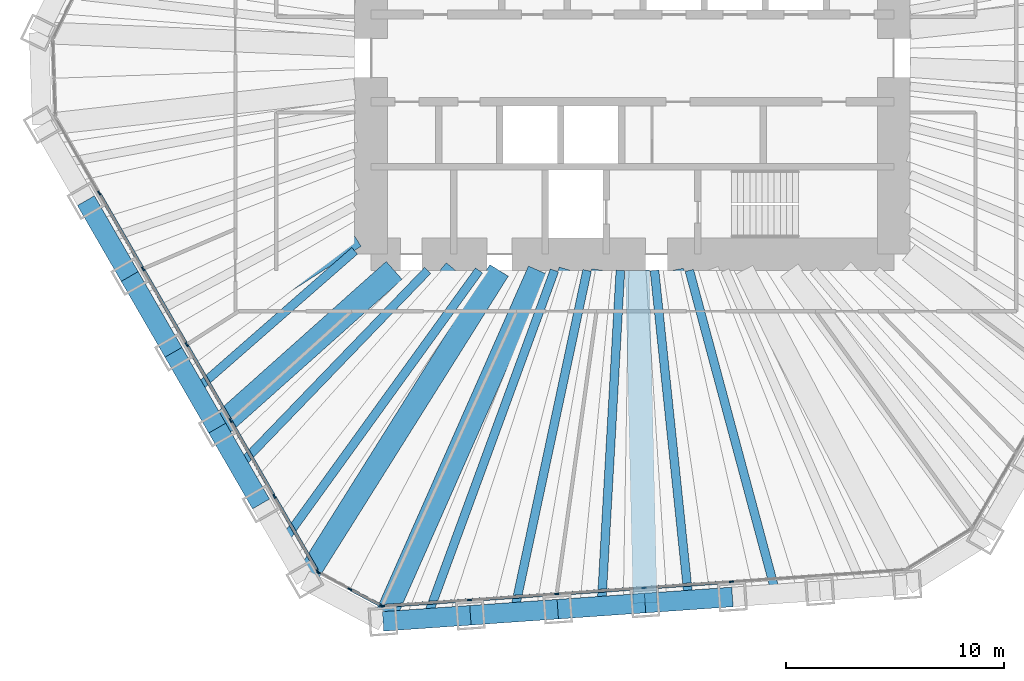
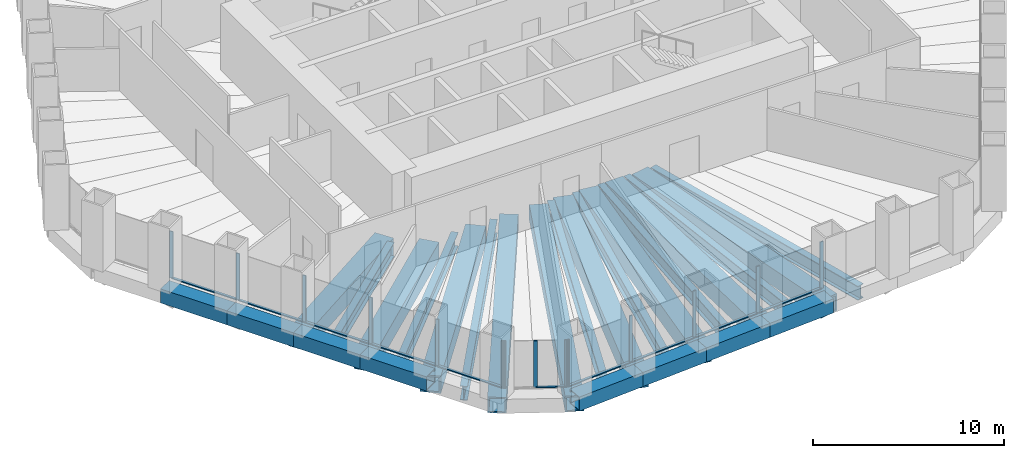
# One storey, part 2 of 12: 25 beams, 24 members, 3 elements without a shape of their own.
"""IFC4 building model written with IfcOpenShell, lengths in metres."""

import ifcopenshell
import ifcopenshell.guid

model = None  # the IFC model being written
_history = None  # IfcOwnerHistory: only IFC2X3 demands one
_inside = {}  # id of a spatial element -> (the spatial element, [elements in it])
_under = {}  # id of a project, library or spatial element -> (it, [spatial elements below it])
_declared = {}  # id of a project -> (the project, [libraries it declares])
_typed = {}  # id of a type object -> (the type object, [elements of that type])
_made_of = {}  # id of a material, layer set ... -> (it, [elements and type objects made of it])


def new_model(schema):
    """Start an empty IFC model of exactly this schema.

    Asked for "IFC4X3", IfcOpenShell would pick the latest addendum, in which some entities
    have other attributes; the version numbers below select the first issue.
    IFC2X3 requires an IfcOwnerHistory on every rooted entity: one is made here for all.
    """
    global model, _history
    if schema == "IFC4X3":
        model = ifcopenshell.file(schema_version=(4, 3, 0, 0))
    else:
        model = ifcopenshell.file(schema=schema)
    _inside.clear()
    _under.clear()
    _declared.clear()
    _typed.clear()
    _made_of.clear()
    _history = None
    if model.schema == "IFC2X3":
        org = make("IfcOrganization", Name="unknown")
        user = make(
            "IfcPersonAndOrganization",
            ThePerson=make("IfcPerson", FamilyName="unknown"),
            TheOrganization=org,
        )
        app = make(
            "IfcApplication",
            ApplicationDeveloper=org,
            Version="unknown",
            ApplicationFullName="unknown",
            ApplicationIdentifier="unknown",
        )
        _history = make(
            "IfcOwnerHistory",
            OwningUser=user,
            OwningApplication=app,
            ChangeAction="ADDED",
            CreationDate=0,
        )
    return model


def make(cls, **values):
    """One entity of the class cls with the attributes given. An attribute that is None is left unset."""
    return model.create_entity(
        cls, **{name: value for name, value in values.items() if value is not None}
    )


def rooted(cls, **values):
    """An entity with a GlobalId (a new one), such as an element, a storey or a relation."""
    return make(cls, GlobalId=ifcopenshell.guid.new(), OwnerHistory=_history, **values)


def si_unit(unit_type, name, prefix=None):
    """IfcSIUnit, for example si_unit("LENGTHUNIT", "METRE", prefix="MILLI")."""
    return make("IfcSIUnit", UnitType=unit_type, Prefix=prefix, Name=name)


def assignment(units):
    """IfcUnitAssignment: the units of a project."""
    return None if units is None else make("IfcUnitAssignment", Units=units)


def point(xyz):
    """IfcCartesianPoint."""
    return None if xyz is None else make("IfcCartesianPoint", Coordinates=xyz)


def direction(xyz):
    """IfcDirection."""
    return None if xyz is None else make("IfcDirection", DirectionRatios=xyz)


def frame(location, z_axis=None, x_axis=None):
    """IfcAxis2Placement3D, a coordinate frame: its origin and axes. An axis left out is left unset."""
    return make(
        "IfcAxis2Placement3D",
        Location=point(location),
        Axis=direction(z_axis),
        RefDirection=direction(x_axis),
    )


def frame_2d(location, x_axis=None):
    """IfcAxis2Placement2D, a coordinate frame in the plane: its origin and x axis."""
    return make(
        "IfcAxis2Placement2D", Location=point(location), RefDirection=direction(x_axis)
    )


def origin():
    """The frame at (0, 0, 0) with its axes left unset."""
    return frame((0.0, 0.0, 0.0))


def origin_2d():
    """The frame at (0, 0) in the plane with its x axis left unset."""
    return frame_2d((0.0, 0.0))


def place(relative_to, where):
    """IfcLocalPlacement: puts the frame where relative to a parent placement (None: the world)."""
    return make(
        "IfcLocalPlacement", PlacementRelTo=relative_to, RelativePlacement=where
    )


def context(
    kind, dimensions, precision=None, world=None, true_north=None, identifier=None
):
    """IfcGeometricRepresentationContext, for example the 3D "Model" context."""
    return make(
        "IfcGeometricRepresentationContext",
        ContextIdentifier=identifier,
        ContextType=kind,
        CoordinateSpaceDimension=dimensions,
        Precision=precision,
        WorldCoordinateSystem=world,
        TrueNorth=true_north,
    )


def subcontext(parent, identifier, kind, view, scale=None):
    """IfcGeometricRepresentationSubContext, for example "Body" below "Model"."""
    return make(
        "IfcGeometricRepresentationSubContext",
        ContextIdentifier=identifier,
        ContextType=kind,
        ParentContext=parent,
        TargetScale=scale,
        TargetView=view,
    )


def project(units=None, contexts=None):
    """IfcProject with its units and contexts."""
    return rooted(
        "IfcProject",
        Name="project",
        RepresentationContexts=contexts,
        UnitsInContext=assignment(units),
    )


def spatial(cls, under=None, at=None, **own):
    """A site, building, storey or space (cls), placed at a placement, below another one or the project."""
    s = rooted(cls, ObjectPlacement=at, **own)
    if under is not None:
        _under.setdefault(under.id(), (under, []))[1].append(s)
    return s


def profile(cls, at=None, kind="AREA", **sizes):
    """A parametric profile (cls). Its sizes go by their IFC names, for example OverallWidth=200.0."""
    return make(cls, ProfileType=kind, Position=at, **sizes)


def rectangle(**sizes):
    """IfcRectangleProfileDef."""
    return profile("IfcRectangleProfileDef", **sizes)


def hollow_rectangle(**sizes):
    """IfcRectangleHollowProfileDef."""
    return profile("IfcRectangleHollowProfileDef", **sizes)


def i_section(**sizes):
    """IfcIShapeProfileDef."""
    return profile("IfcIShapeProfileDef", **sizes)


def extrude(swept, where, along, depth):
    """IfcExtrudedAreaSolid: the profile swept, set in the frame where, extruded along a direction by depth."""
    return make(
        "IfcExtrudedAreaSolid",
        SweptArea=swept,
        Position=where,
        ExtrudedDirection=direction(along),
        Depth=depth,
    )


def shape(context_of_items, identifier, shape_type, items):
    """IfcShapeRepresentation: the items that make up one representation, for example the "Body"."""
    return make(
        "IfcShapeRepresentation",
        ContextOfItems=context_of_items,
        RepresentationIdentifier=identifier,
        RepresentationType=shape_type,
        Items=items,
    )


def material(Name=None, Category=None):
    """IfcMaterial."""
    return make("IfcMaterial", Name=Name, Category=Category)


def material_profile(
    of_material, cross_section, Name=None, Category=None, Priority=None
):
    """IfcMaterialProfile: a cross section and its material."""
    return make(
        "IfcMaterialProfile",
        Name=Name,
        Material=of_material,
        Profile=cross_section,
        Priority=Priority,
        Category=Category,
    )


def profile_set(profiles, Name=None, composite=None):
    """IfcMaterialProfileSet."""
    return make(
        "IfcMaterialProfileSet",
        Name=Name,
        MaterialProfiles=profiles,
        CompositeProfile=composite,
    )


def made_of(thing, what):
    """Note that an element or type object is made of a material, layer set ...; save() writes the relation."""
    if what is not None:
        _made_of.setdefault(what.id(), (what, []))[1].append(thing)
    return thing


def type_object(cls, material=None, **own):
    """A type object (cls), such as IfcWallType, which elements share."""
    return made_of(rooted(cls, **own), material)


def element(
    cls,
    number,
    at=None,
    inside=None,
    cuts=None,
    type_object=None,
    material=None,
    context=None,
    identifier="Body",
    shape_type=None,
    held_by="IfcProductDefinitionShape",
    body=None,
    shapes=None,
    **own,
):
    """One element of the class cls, such as IfcWall. Its Tag is "e" and its number.

    at: its placement. inside: the storey or other place that contains it. cuts: it is an
    opening in that element (IfcRelVoidsElement). A single representation is given by context,
    identifier, shape_type and body (its items); several are given by shapes. held_by: the class
    of the entity that holds the representations. save() writes the other relations.
    """
    e = rooted(cls, Tag="e%d" % number, ObjectPlacement=at, **own)
    if body is not None:
        shapes = [shape(context, identifier, shape_type, body)]
    if shapes is not None:
        e.Representation = make(held_by, Representations=shapes)
    if inside is not None:
        _inside.setdefault(inside.id(), (inside, []))[1].append(e)
    if cuts is not None:
        rooted(
            "IfcRelVoidsElement", RelatingBuildingElement=cuts, RelatedOpeningElement=e
        )
    if type_object is not None:
        _typed.setdefault(type_object.id(), (type_object, []))[1].append(e)
    return made_of(e, material)


def aggregate(whole, parts):
    """IfcRelAggregates: a whole, such as a stair, and the parts it consists of."""
    return rooted("IfcRelAggregates", RelatingObject=whole, RelatedObjects=parts)


def save(model, path):
    """Write the relations noted so far, then the file.

    IfcRelAggregates (storeys below a building ...), IfcRelContainedInSpatialStructure (elements
    in a storey), IfcRelDefinesByType, IfcRelAssociatesMaterial and IfcRelDeclares: one each for
    every whole, place, type object, material and project.
    """
    for whole, parts in _under.values():
        aggregate(whole, parts)
    for where, things in _inside.values():
        rooted(
            "IfcRelContainedInSpatialStructure",
            RelatedElements=things,
            RelatingStructure=where,
        )
    for kind, things in _typed.values():
        rooted("IfcRelDefinesByType", RelatedObjects=things, RelatingType=kind)
    for what, things in _made_of.values():
        rooted("IfcRelAssociatesMaterial", RelatedObjects=things, RelatingMaterial=what)
    for by, libraries in _declared.values():
        rooted("IfcRelDeclares", RelatingContext=by, RelatedDefinitions=libraries)
    model.write(path)


model = new_model("IFC4")

# Units and contexts
model_context = context("Model", 3, precision=1e-05, world=origin(), true_north=direction((0.0, 1.0)))
body_context = subcontext(model_context, "Body", "Model", "MODEL_VIEW")
ifc_project = project(units=[si_unit("LENGTHUNIT", "METRE"), si_unit("AREAUNIT", "SQUARE_METRE"), si_unit("VOLUMEUNIT", "CUBIC_METRE"), si_unit("PLANEANGLEUNIT", "RADIAN"), si_unit("MASSUNIT", "GRAM", prefix="KILO")], contexts=[model_context])

# Site, building, storey
site_placement = place(None, origin())
site = spatial("IfcSite", under=ifc_project, at=site_placement, CompositionType="ELEMENT")
building_placement = place(site_placement, origin())
building = spatial("IfcBuilding", under=site, at=building_placement, Name="Qingtian Harvest Tower", CompositionType="ELEMENT")
storey_placement = place(building_placement, frame((0.0, 0.0, 170.199951171875)))
storey = spatial("IfcBuildingStorey", under=building, at=storey_placement, Name="L36", CompositionType="ELEMENT", Elevation=170.199951171875)

# Beams
ifc_material_1 = material(Name="Steel SN490B", Category="steel")
ifc_material_profile_1 = material_profile(ifc_material_1, i_section(OverallWidth=0.39990234375, OverallDepth=0.89990234375, WebThickness=0.01904296875, FlangeThickness=0.035888671875, at=origin_2d()), Name="H900x400x19x36")
ifc_profile_set_1 = profile_set([ifc_material_profile_1], Name="Steel SN490B")
beam_type_1 = type_object("IfcBeamType", Name="Floor joist J4 H900x400x19x36", PredefinedType="JOIST", material=ifc_profile_set_1)
beam_1_placement = place(storey_placement, frame((6.59619140625, -24.599853515625, -0.619873046875), z_axis=(-0.258996688759, 0.965878209306, 0.0), x_axis=(-0.965878209306, -0.258996688759, 0.0)))
element("IfcBeam", 1, at=beam_1_placement, inside=storey, type_object=beam_type_1, Name="Floor joist J4 S1", PredefinedType="JOIST", context=body_context, shape_type="SweptSolid", body=[
    extrude(i_section(OverallWidth=0.39990234375, OverallDepth=0.89990234375, WebThickness=0.01904296875, FlangeThickness=0.035888671875, at=origin_2d()), origin(), (0.0, 0.0, 1.0), 15.37451171875),
])
beam_2_placement = place(storey_placement, frame((2.5869140625, -24.880126953125, -0.619873046875), z_axis=(-0.103423163361, 0.994637446148, 0.0), x_axis=(-0.994637446148, -0.103423163361, 0.0)))
element("IfcBeam", 2, at=beam_2_placement, inside=storey, type_object=beam_type_1, Name="Floor joist J4 S2", PredefinedType="JOIST", context=body_context, shape_type="SweptSolid", body=[
    extrude(i_section(OverallWidth=0.39990234375, OverallDepth=0.89990234375, WebThickness=0.01904296875, FlangeThickness=0.035888671875, at=origin_2d()), origin(), (0.0, 0.0, 1.0), 15.211669921875),
])
beam_3_placement = place(storey_placement, frame((-1.42236328125, -25.160400390625, -0.619873046875), z_axis=(0.05643626267, 0.998406204035, 0.0), x_axis=(-0.998406204035, 0.05643626267, 0.0)))
element("IfcBeam", 3, at=beam_3_placement, inside=storey, type_object=beam_type_1, Name="Floor joist J4 S3", PredefinedType="JOIST", context=body_context, shape_type="SweptSolid", body=[
    extrude(i_section(OverallWidth=0.39990234375, OverallDepth=0.89990234375, WebThickness=0.01904296875, FlangeThickness=0.035888671875, at=origin_2d()), origin(), (0.0, 0.0, 1.0), 15.43505859375),
])
beam_4_placement = place(storey_placement, frame((-5.431640625, -25.44091796875, -0.619873046875), z_axis=(0.208799533611, 0.977958462699, 0.0), x_axis=(-0.977958462699, 0.208799533611, 0.0)))
element("IfcBeam", 4, at=beam_4_placement, inside=storey, type_object=beam_type_1, Name="Floor joist J4 S4", PredefinedType="JOIST", context=body_context, shape_type="SweptSolid", body=[
    extrude(i_section(OverallWidth=0.39990234375, OverallDepth=0.89990234375, WebThickness=0.01904296875, FlangeThickness=0.035888671875, at=origin_2d()), origin(), (0.0, 0.0, 1.0), 16.044677734375),
])
beam_5_placement = place(storey_placement, frame((-9.44091796875, -25.72119140625, -0.619873046875), z_axis=(0.344563279886, 0.938763093732, 0.0), x_axis=(-0.938763093732, 0.344563279886, 0.0)))
element("IfcBeam", 5, at=beam_5_placement, inside=storey, type_object=beam_type_1, Name="Floor joist J4 S5", PredefinedType="JOIST", context=body_context, shape_type="SweptSolid", body=[
    extrude(i_section(OverallWidth=0.39990234375, OverallDepth=0.89990234375, WebThickness=0.01904296875, FlangeThickness=0.035888671875, at=origin_2d()), origin(), (0.0, 0.0, 1.0), 17.012939453125),
])
beam_6_placement = place(storey_placement, frame((-16.04443359375, -22.2099609375, -0.619873046875), z_axis=(0.585581016658, 0.810613886465, 0.0), x_axis=(-0.810613886465, 0.585581016658, 0.0)))
element("IfcBeam", 6, at=beam_6_placement, inside=storey, type_object=beam_type_1, Name="Floor joist J4 SW0", PredefinedType="JOIST", context=body_context, shape_type="SweptSolid", body=[
    extrude(i_section(OverallWidth=0.39990234375, OverallDepth=0.89990234375, WebThickness=0.01904296875, FlangeThickness=0.035888671875, at=origin_2d()), origin(), (0.0, 0.0, 1.0), 15.37109375),
])
beam_7_placement = place(storey_placement, frame((-18.053955078125, -18.7294921875, -0.619873046875), z_axis=(0.693999346894, 0.719975629108, 0.0), x_axis=(-0.719975629108, 0.693999346894, 0.0)))
element("IfcBeam", 7, at=beam_7_placement, inside=storey, type_object=beam_type_1, Name="Floor joist J4 SW1", PredefinedType="JOIST", context=body_context, shape_type="SweptSolid", body=[
    extrude(i_section(OverallWidth=0.39990234375, OverallDepth=0.89990234375, WebThickness=0.01904296875, FlangeThickness=0.035888671875, at=origin_2d()), origin(), (0.0, 0.0, 1.0), 12.471923828125),
])
beam_8_placement = place(storey_placement, frame((-20.063720703125, -15.248779296875, -0.619873046875), z_axis=(0.752618713562, 0.658456583228, 0.0), x_axis=(-0.658456583228, 0.752618713562, 0.0)))
element("IfcBeam", 8, at=beam_8_placement, inside=storey, type_object=beam_type_1, Name="Floor joist J4 SW2", PredefinedType="JOIST", context=body_context, shape_type="SweptSolid", body=[
    extrude(i_section(OverallWidth=0.39990234375, OverallDepth=0.89990234375, WebThickness=0.01904296875, FlangeThickness=0.035888671875, at=origin_2d()), origin(), (0.0, 0.0, 1.0), 9.7177734375),
])

# Curtain wall, members
ifc_material_2 = material(Name="Bronze-anodised aluminium curtain wall", Category="aluminium")
curtain_wall_type = type_object("IfcCurtainWallType", Name="Curtain wall CW4 office", PredefinedType="USERDEFINED", material=ifc_material_2)
curtain_wall_1_placement = place(storey_placement, origin())
curtain_wall_1 = element("IfcCurtainWall", 9, at=curtain_wall_1_placement, inside=storey, type_object=curtain_wall_type, Name="Curtain wall CW4 L36 S0-5", ObjectType="RECESSED CURTAIN WALL", PredefinedType="USERDEFINED")
ifc_material_3 = material(Name="Bronze-anodised aluminium mullion", Category="aluminium")
ifc_material_profile_2 = material_profile(ifc_material_3, rectangle(XDim=0.06494140625, YDim=0.199951171875, at=origin_2d()), Name="AL 65x200")
ifc_profile_set_2 = profile_set([ifc_material_profile_2], Name="Bronze-anodised aluminium mullion")
member_type_1 = type_object("IfcMemberType", Name="Mullion CWM 65x200", PredefinedType="MULLION", material=ifc_profile_set_2)
member_1_placement = place(storey_placement, frame((4.542724609375, -24.041748046875, 0.0), z_axis=(0.0, 0.0, 1.0), x_axis=(0.069756473744, -0.99756405026, 0.0)))
member_1 = element("IfcMember", 10, at=member_1_placement, type_object=member_type_1, Name="CW4 mullion 3", PredefinedType="MULLION", context=body_context, shape_type="SweptSolid", body=[
    extrude(rectangle(XDim=0.06494140625, YDim=0.199951171875, at=origin_2d()), origin(), (0.0, 0.0, 1.0), 3.0),
])
member_2_placement = place(storey_placement, frame((0.533447265625, -24.322021484375, 0.0), z_axis=(0.0, 0.0, 1.0), x_axis=(0.069756473744, -0.99756405026, 0.0)))
member_2 = element("IfcMember", 11, at=member_2_placement, type_object=member_type_1, Name="CW4 mullion 4", PredefinedType="MULLION", context=body_context, shape_type="SweptSolid", body=[
    extrude(rectangle(XDim=0.06494140625, YDim=0.199951171875, at=origin_2d()), origin(), (0.0, 0.0, 1.0), 3.0),
])
member_3_placement = place(storey_placement, frame((-3.475830078125, -24.602294921875, 0.0), z_axis=(0.0, 0.0, 1.0), x_axis=(0.069756473744, -0.99756405026, 0.0)))
member_3 = element("IfcMember", 12, at=member_3_placement, type_object=member_type_1, Name="CW4 mullion 5", PredefinedType="MULLION", context=body_context, shape_type="SweptSolid", body=[
    extrude(rectangle(XDim=0.06494140625, YDim=0.199951171875, at=origin_2d()), origin(), (0.0, 0.0, 1.0), 3.0),
])
member_4_placement = place(storey_placement, frame((-7.485107421875, -24.8828125, 0.0), z_axis=(0.0, 0.0, 1.0), x_axis=(0.069756473744, -0.99756405026, 0.0)))
member_4 = element("IfcMember", 13, at=member_4_placement, type_object=member_type_1, Name="CW4 mullion 6", PredefinedType="MULLION", context=body_context, shape_type="SweptSolid", body=[
    extrude(rectangle(XDim=0.06494140625, YDim=0.199951171875, at=origin_2d()), origin(), (0.0, 0.0, 1.0), 3.0),
])
member_5_placement = place(storey_placement, frame((-11.4619140625, -25.160888671875, 0.0), z_axis=(0.0, 0.0, 1.0), x_axis=(0.069756473744, -0.99756405026, 0.0)))
member_5 = element("IfcMember", 14, at=member_5_placement, type_object=member_type_1, Name="CW4 mullion 7", PredefinedType="MULLION", context=body_context, shape_type="SweptSolid", body=[
    extrude(rectangle(XDim=0.06494140625, YDim=0.199951171875, at=origin_2d()), origin(), (0.0, 0.0, 1.0), 3.0),
])

curtain_wall_2_placement = place(storey_placement, origin())
curtain_wall_2 = element("IfcCurtainWall", 15, at=curtain_wall_2_placement, inside=storey, type_object=curtain_wall_type, Name="Curtain wall CW4 L36 SC", ObjectType="RECESSED CURTAIN WALL", PredefinedType="USERDEFINED")
member_6_placement = place(storey_placement, frame((-11.523193359375, -25.14794921875, 0.0), z_axis=(0.0, 0.0, 1.0), x_axis=(-0.469471562786, -0.882947592859, 0.0)))
member_6 = element("IfcMember", 16, at=member_6_placement, type_object=member_type_1, Name="CW4 mullion 1", PredefinedType="MULLION", context=body_context, shape_type="SweptSolid", body=[
    extrude(rectangle(XDim=0.06494140625, YDim=0.199951171875, at=origin_2d()), origin(), (0.0, 0.0, 1.0), 3.0),
])
member_7_placement = place(storey_placement, frame((-12.964111328125, -24.3818359375, 0.0), z_axis=(0.0, 0.0, 1.0), x_axis=(-0.469471562786, -0.882947592859, 0.0)))
member_7 = element("IfcMember", 17, at=member_7_placement, type_object=member_type_1, Name="CW4 mullion 2", PredefinedType="MULLION", context=body_context, shape_type="SweptSolid", body=[
    extrude(rectangle(XDim=0.06494140625, YDim=0.199951171875, at=origin_2d()), origin(), (0.0, 0.0, 1.0), 3.0),
])
member_8_placement = place(storey_placement, frame((-14.40478515625, -23.61572265625, 0.0), z_axis=(0.0, 0.0, 1.0), x_axis=(-0.469471562786, -0.882947592859, 0.0)))
member_8 = element("IfcMember", 18, at=member_8_placement, type_object=member_type_1, Name="CW4 mullion 3", PredefinedType="MULLION", context=body_context, shape_type="SweptSolid", body=[
    extrude(rectangle(XDim=0.06494140625, YDim=0.199951171875, at=origin_2d()), origin(), (0.0, 0.0, 1.0), 3.0),
])

curtain_wall_3_placement = place(storey_placement, origin())
curtain_wall_3 = element("IfcCurtainWall", 19, at=curtain_wall_3_placement, inside=storey, type_object=curtain_wall_type, Name="Curtain wall CW4 L36 SW0-5", ObjectType="RECESSED CURTAIN WALL", PredefinedType="USERDEFINED")
member_9_placement = place(storey_placement, frame((-14.44970703125, -23.572265625, 0.0), z_axis=(0.0, 0.0, 1.0), x_axis=(-0.866025403784, -0.5, 0.0)))
member_9 = element("IfcMember", 20, at=member_9_placement, type_object=member_type_1, Name="CW4 mullion 1", PredefinedType="MULLION", context=body_context, shape_type="SweptSolid", body=[
    extrude(rectangle(XDim=0.06494140625, YDim=0.199951171875, at=origin_2d()), origin(), (0.0, 0.0, 1.0), 3.0),
])
member_10_placement = place(storey_placement, frame((-16.443115234375, -20.11962890625, 0.0), z_axis=(0.0, 0.0, 1.0), x_axis=(-0.866025403784, -0.5, 0.0)))
member_10 = element("IfcMember", 21, at=member_10_placement, type_object=member_type_1, Name="CW4 mullion 2", PredefinedType="MULLION", context=body_context, shape_type="SweptSolid", body=[
    extrude(rectangle(XDim=0.06494140625, YDim=0.199951171875, at=origin_2d()), origin(), (0.0, 0.0, 1.0), 3.0),
])
member_11_placement = place(storey_placement, frame((-18.45263671875, -16.63916015625, 0.0), z_axis=(0.0, 0.0, 1.0), x_axis=(-0.866025403784, -0.5, 0.0)))
member_11 = element("IfcMember", 22, at=member_11_placement, type_object=member_type_1, Name="CW4 mullion 3", PredefinedType="MULLION", context=body_context, shape_type="SweptSolid", body=[
    extrude(rectangle(XDim=0.06494140625, YDim=0.199951171875, at=origin_2d()), origin(), (0.0, 0.0, 1.0), 3.0),
])
member_12_placement = place(storey_placement, frame((-20.462158203125, -13.158447265625, 0.0), z_axis=(0.0, 0.0, 1.0), x_axis=(-0.866025403784, -0.5, 0.0)))
member_12 = element("IfcMember", 23, at=member_12_placement, type_object=member_type_1, Name="CW4 mullion 4", PredefinedType="MULLION", context=body_context, shape_type="SweptSolid", body=[
    extrude(rectangle(XDim=0.06494140625, YDim=0.199951171875, at=origin_2d()), origin(), (0.0, 0.0, 1.0), 3.0),
])
member_13_placement = place(storey_placement, frame((-22.4716796875, -9.677978515625, 0.0), z_axis=(0.0, 0.0, 1.0), x_axis=(-0.866025403784, -0.5, 0.0)))
member_13 = element("IfcMember", 24, at=member_13_placement, type_object=member_type_1, Name="CW4 mullion 5", PredefinedType="MULLION", context=body_context, shape_type="SweptSolid", body=[
    extrude(rectangle(XDim=0.06494140625, YDim=0.199951171875, at=origin_2d()), origin(), (0.0, 0.0, 1.0), 3.0),
])
member_14_placement = place(storey_placement, frame((-24.481201171875, -6.197265625, 0.0), z_axis=(0.0, 0.0, 1.0), x_axis=(-0.866025403784, -0.5, 0.0)))
member_14 = element("IfcMember", 25, at=member_14_placement, type_object=member_type_1, Name="CW4 mullion 6", PredefinedType="MULLION", context=body_context, shape_type="SweptSolid", body=[
    extrude(rectangle(XDim=0.06494140625, YDim=0.199951171875, at=origin_2d()), origin(), (0.0, 0.0, 1.0), 3.0),
])

# Beams
ifc_material_4 = material(Name="Steel SM570MC", Category="steel")
ifc_material_profile_3 = material_profile(ifc_material_4, hollow_rectangle(XDim=1.0, YDim=1.0, WallThickness=0.080078125, at=origin_2d()), Name="BOX1000x1000x80")
ifc_profile_set_3 = profile_set([ifc_material_profile_3], Name="Steel SM570MC")
beam_type_2 = type_object("IfcBeamType", Name="Transfer corner beam FB11 BOX1000x1000x80", PredefinedType="BEAM", material=ifc_profile_set_3)
beam_9_placement = place(storey_placement, frame((-11.445556640625, -25.861328125, -0.669921875), z_axis=(0.404705702755, 0.914446988161, 0.0), x_axis=(-0.914446988161, 0.404705702755, 0.0)))
element("IfcBeam", 26, at=beam_9_placement, inside=storey, type_object=beam_type_2, Name="Floor beam FB11 S6", PredefinedType="BEAM", context=body_context, shape_type="SweptSolid", body=[
    extrude(hollow_rectangle(XDim=1.0, YDim=1.0, WallThickness=0.080078125, at=origin_2d()), origin(), (0.0, 0.0, 1.0), 17.61865234375),
])
beam_10_placement = place(storey_placement, frame((-15.039794921875, -23.950439453125, -0.669921875), z_axis=(0.531797274443, 0.846871689747, 0.0), x_axis=(-0.846871689747, 0.531797274443, 0.0)))
element("IfcBeam", 27, at=beam_10_placement, inside=storey, type_object=beam_type_2, Name="Floor beam FB11 SW0", PredefinedType="BEAM", context=body_context, shape_type="SweptSolid", body=[
    extrude(hollow_rectangle(XDim=1.0, YDim=1.0, WallThickness=0.080078125, at=origin_2d()), origin(), (0.0, 0.0, 1.0), 16.76806640625),
])
ifc_material_5 = material(Name="Steel SM570MC", Category="steel")
ifc_material_profile_4 = material_profile(ifc_material_5, hollow_rectangle(XDim=1.10009765625, YDim=1.10009765625, WallThickness=0.10009765625, at=origin_2d()), Name="BOX1100x1100x100")
ifc_profile_set_4 = profile_set([ifc_material_profile_4], Name="Steel SM570MC")
beam_type_3 = type_object("IfcBeamType", Name="Transfer floor beam FB9 BOX1100x1100x100", PredefinedType="BEAM", material=ifc_profile_set_4)
beam_11_placement = place(storey_placement, frame((4.591552734375, -24.739990234375, -0.719970703125), z_axis=(-0.182473442032, 0.983210782565, 0.0), x_axis=(-0.983210782565, -0.182473442032, 0.0)))
element("IfcBeam", 28, at=beam_11_placement, inside=storey, type_object=beam_type_3, Name="Floor beam FB9 S2", PredefinedType="BEAM", context=body_context, shape_type="SweptSolid", body=[
    extrude(hollow_rectangle(XDim=1.10009765625, YDim=1.10009765625, WallThickness=0.10009765625, at=origin_2d()), origin(), (0.0, 0.0, 1.0), 15.245849609375),
])
beam_12_placement = place(storey_placement, frame((0.582275390625, -25.020263671875, -0.719970703125), z_axis=(-0.023272189962, 0.999729165912, 0.0), x_axis=(-0.999729165912, -0.023272189962, 0.0)))
element("IfcBeam", 29, at=beam_12_placement, inside=storey, type_object=beam_type_3, Name="Floor beam FB9 S3", PredefinedType="BEAM", context=body_context, shape_type="SweptSolid", body=[
    extrude(hollow_rectangle(XDim=1.10009765625, YDim=1.10009765625, WallThickness=0.10009765625, at=origin_2d()), origin(), (0.0, 0.0, 1.0), 15.2744140625),
])
beam_13_placement = place(storey_placement, frame((-3.427001953125, -25.30078125, -0.719970703125), z_axis=(0.134230066005, 0.990950195207, 0.0), x_axis=(-0.990950195207, 0.134230066005, 0.0)))
element("IfcBeam", 30, at=beam_13_placement, inside=storey, type_object=beam_type_3, Name="Floor beam FB9 S4", PredefinedType="BEAM", context=body_context, shape_type="SweptSolid", body=[
    extrude(hollow_rectangle(XDim=1.10009765625, YDim=1.10009765625, WallThickness=0.10009765625, at=origin_2d()), origin(), (0.0, 0.0, 1.0), 15.69287109375),
])
beam_14_placement = place(storey_placement, frame((-7.436279296875, -25.5810546875, -0.719970703125), z_axis=(0.279142362954, 0.960249728562, 0.0), x_axis=(-0.960249728562, 0.279142362954, 0.0)))
element("IfcBeam", 31, at=beam_14_placement, inside=storey, type_object=beam_type_3, Name="Floor beam FB9 S5", PredefinedType="BEAM", context=body_context, shape_type="SweptSolid", body=[
    extrude(hollow_rectangle(XDim=1.10009765625, YDim=1.10009765625, WallThickness=0.10009765625, at=origin_2d()), origin(), (0.0, 0.0, 1.0), 16.486328125),
])
beam_15_placement = place(storey_placement, frame((-17.04931640625, -20.4697265625, -0.719970703125), z_axis=(0.639988150605, 0.768384778015, 0.0), x_axis=(-0.768384778015, 0.639988150605, 0.0)))
element("IfcBeam", 32, at=beam_15_placement, inside=storey, type_object=beam_type_3, Name="Floor beam FB9 SW1", PredefinedType="BEAM", context=body_context, shape_type="SweptSolid", body=[
    extrude(hollow_rectangle(XDim=1.10009765625, YDim=1.10009765625, WallThickness=0.10009765625, at=origin_2d()), origin(), (0.0, 0.0, 1.0), 13.950927734375),
])
beam_16_placement = place(storey_placement, frame((-19.058837890625, -16.989013671875, -0.719970703125), z_axis=(0.746483707908, 0.665403692376, 0.0), x_axis=(-0.665403692376, 0.746483707908, 0.0)))
element("IfcBeam", 33, at=beam_16_placement, inside=storey, type_object=beam_type_3, Name="Floor beam FB9 SW2", PredefinedType="BEAM", context=body_context, shape_type="SweptSolid", body=[
    extrude(hollow_rectangle(XDim=1.10009765625, YDim=1.10009765625, WallThickness=0.10009765625, at=origin_2d()), origin(), (0.0, 0.0, 1.0), 10.879150390625),
])
beam_17_placement = place(storey_placement, frame((-21.068359375, -13.508544921875, -0.719970703125), z_axis=(0.841823295753, 0.539753220211, 0.0), x_axis=(-0.539753220211, 0.841823295753, 0.0)))
element("IfcBeam", 34, at=beam_17_placement, inside=storey, type_object=beam_type_3, Name="Floor beam FB9 SW3", PredefinedType="BEAM", context=body_context, shape_type="SweptSolid", body=[
    extrude(hollow_rectangle(XDim=1.10009765625, YDim=1.10009765625, WallThickness=0.10009765625, at=origin_2d()), origin(), (0.0, 0.0, 1.0), 9.88134765625),
])
ifc_material_6 = material(Name="Steel SM570MC", Category="steel")
ifc_material_profile_5 = material_profile(ifc_material_6, hollow_rectangle(XDim=0.89990234375, YDim=0.89990234375, WallThickness=0.050048828125, at=origin_2d()), Name="BOX900x900x50")
ifc_profile_set_5 = profile_set([ifc_material_profile_5], Name="Steel SM570MC")
beam_type_4 = type_object("IfcBeamType", Name="Transition spandrel SB6 BOX900x900x50", PredefinedType="SPANDREL", material=ifc_profile_set_5)
for number, where, z_axis, x_axis, name in (
    (35, (4.591552734375, -24.739990234375, -0.449951171875), (-0.997565479251, -0.069736035208, 0.0), (0.069736035208, -0.997565479251, 0.0), "Spandrel SB6 S2"),
    (36, (0.582275390625, -25.020263671875, -0.449951171875), (-0.997561251588, -0.069796485086, 0.0), (0.069796485086, -0.997561251588, 0.0), "Spandrel SB6 S3"),
    (37, (-3.427001953125, -25.30078125, -0.449951171875), (-0.997565479251, -0.069736035208, 0.0), (0.069736035208, -0.997565479251, 0.0), "Spandrel SB6 S4"),
    (38, (-7.436279296875, -25.5810546875, -0.449951171875), (-0.997565479251, -0.069736035208, 0.0), (0.069736035208, -0.997565479251, 0.0), "Spandrel SB6 S5"),
    (39, (-17.04931640625, -20.4697265625, -0.449951171875), (-0.499987116613, 0.866032841884, 0.0), (-0.866032841884, -0.499987116613, 0.0), "Spandrel SB6 SW1"),
    (40, (-19.058837890625, -16.989013671875, -0.449951171875), (-0.500013420409, 0.866017655369, 0.0), (-0.866017655369, -0.500013420409, 0.0), "Spandrel SB6 SW2"),
    (41, (-21.068359375, -13.508544921875, -0.449951171875), (-0.499987116613, 0.866032841884, 0.0), (-0.866032841884, -0.499987116613, 0.0), "Spandrel SB6 SW3"),
    (42, (-23.077880859375, -10.02783203125, -0.449951171875), (-0.499987116613, 0.866032841884, 0.0), (-0.866032841884, -0.499987116613, 0.0), "Spandrel SB6 SW4"),
):
    element("IfcBeam", number, at=place(storey_placement, frame(where, z_axis=z_axis, x_axis=x_axis)), inside=storey, type_object=beam_type_4, Name=name, PredefinedType="SPANDREL", context=body_context, shape_type="SweptSolid", body=[
        extrude(hollow_rectangle(XDim=0.89990234375, YDim=0.89990234375, WallThickness=0.050048828125, at=origin_2d()), origin(), (0.0, 0.0, 1.0), 4.01904296875),
    ])

# Member
ifc_material_7 = material(Name="Bronze-anodised aluminium transom", Category="aluminium")
ifc_material_profile_6 = material_profile(ifc_material_7, rectangle(XDim=0.14990234375, YDim=0.06494140625, at=origin_2d()), Name="AL 65x150")
ifc_profile_set_6 = profile_set([ifc_material_profile_6], Name="Bronze-anodised aluminium transom")
member_type_2 = type_object("IfcMemberType", Name="Transom CWT 65x150", PredefinedType="USERDEFINED", material=ifc_profile_set_6)
member_15_placement = place(storey_placement, frame((4.51025390625, -24.0439453125, 0.032470703125), z_axis=(-0.997562922571, -0.069772598571, 0.0), x_axis=(0.069772598571, -0.997562922571, 0.0)))
member_15 = element("IfcMember", 43, at=member_15_placement, type_object=member_type_2, Name="CW4 transom 3.1", ObjectType="TRANSOM", PredefinedType="USERDEFINED", context=body_context, shape_type="SweptSolid", body=[
    extrude(rectangle(XDim=0.14990234375, YDim=0.06494140625, at=origin_2d()), origin(), (0.0, 0.0, 1.0), 3.953857421875),
])

member_16_placement = place(storey_placement, frame((0.5009765625, -24.32421875, 0.032470703125), z_axis=(-0.997562922571, -0.069772598571, 0.0), x_axis=(0.069772598571, -0.997562922571, 0.0)))
member_16 = element("IfcMember", 44, at=member_16_placement, type_object=member_type_2, Name="CW4 transom 4.1", ObjectType="TRANSOM", PredefinedType="USERDEFINED", context=body_context, shape_type="SweptSolid", body=[
    extrude(rectangle(XDim=0.14990234375, YDim=0.06494140625, at=origin_2d()), origin(), (0.0, 0.0, 1.0), 3.953857421875),
])

member_17_placement = place(storey_placement, frame((-3.50830078125, -24.604736328125, 0.032470703125), z_axis=(-0.997567218353, -0.069711153102, 0.0), x_axis=(0.069711153102, -0.997567218353, 0.0)))
member_17 = element("IfcMember", 45, at=member_17_placement, type_object=member_type_2, Name="CW4 transom 5.1", ObjectType="TRANSOM", PredefinedType="USERDEFINED", context=body_context, shape_type="SweptSolid", body=[
    extrude(rectangle(XDim=0.14990234375, YDim=0.06494140625, at=origin_2d()), origin(), (0.0, 0.0, 1.0), 3.953857421875),
])

member_18_placement = place(storey_placement, frame((-7.517578125, -24.885009765625, 0.032470703125), z_axis=(-0.997561915105, -0.069787001175, 0.0), x_axis=(0.069787001175, -0.997561915105, 0.0)))
member_18 = element("IfcMember", 46, at=member_18_placement, type_object=member_type_2, Name="CW4 transom 6.1", ObjectType="TRANSOM", PredefinedType="USERDEFINED", context=body_context, shape_type="SweptSolid", body=[
    extrude(rectangle(XDim=0.14990234375, YDim=0.06494140625, at=origin_2d()), origin(), (0.0, 0.0, 1.0), 3.921630859375),
])

aggregate(curtain_wall_1, [member_1, member_2, member_3, member_4, member_5, member_15, member_16, member_17, member_18])

member_19_placement = place(storey_placement, frame((-11.5517578125, -25.132568359375, 0.032470703125), z_axis=(-0.882960338349, 0.46944759122, 0.0), x_axis=(-0.46944759122, -0.882960338349, 0.0)))
member_19 = element("IfcMember", 47, at=member_19_placement, type_object=member_type_2, Name="CW4 transom 1.1", ObjectType="TRANSOM", PredefinedType="USERDEFINED", context=body_context, shape_type="SweptSolid", body=[
    extrude(rectangle(XDim=0.14990234375, YDim=0.06494140625, at=origin_2d()), origin(), (0.0, 0.0, 1.0), 1.56689453125),
])

aggregate(curtain_wall_2, [member_6, member_7, member_8, member_19])

member_20_placement = place(storey_placement, frame((-14.466064453125, -23.5439453125, 0.032470703125), z_axis=(-0.500002696854, 0.866023846749, 0.0), x_axis=(-0.866023846749, -0.500002696854, 0.0)))
member_20 = element("IfcMember", 48, at=member_20_placement, type_object=member_type_2, Name="CW4 transom 1.1", ObjectType="TRANSOM", PredefinedType="USERDEFINED", context=body_context, shape_type="SweptSolid", body=[
    extrude(rectangle(XDim=0.14990234375, YDim=0.06494140625, at=origin_2d()), origin(), (0.0, 0.0, 1.0), 3.92138671875),
])

member_21_placement = place(storey_placement, frame((-16.459228515625, -20.091552734375, 0.032470703125), z_axis=(-0.500003941941, 0.866023127892, 0.0), x_axis=(-0.866023127892, -0.500003941941, 0.0)))
member_21 = element("IfcMember", 49, at=member_21_placement, type_object=member_type_2, Name="CW4 transom 2.1", ObjectType="TRANSOM", PredefinedType="USERDEFINED", context=body_context, shape_type="SweptSolid", body=[
    extrude(rectangle(XDim=0.14990234375, YDim=0.06494140625, at=origin_2d()), origin(), (0.0, 0.0, 1.0), 3.9541015625),
])

member_22_placement = place(storey_placement, frame((-18.468994140625, -16.611083984375, 0.032470703125), z_axis=(-0.49993089783, 0.866065296265, 0.0), x_axis=(-0.866065296265, -0.49993089783, 0.0)))
member_22 = element("IfcMember", 50, at=member_22_placement, type_object=member_type_2, Name="CW4 transom 3.1", ObjectType="TRANSOM", PredefinedType="USERDEFINED", context=body_context, shape_type="SweptSolid", body=[
    extrude(rectangle(XDim=0.14990234375, YDim=0.06494140625, at=origin_2d()), origin(), (0.0, 0.0, 1.0), 3.9541015625),
])

member_23_placement = place(storey_placement, frame((-20.478515625, -13.13037109375, 0.032470703125), z_axis=(-0.500003941941, 0.866023127892, 0.0), x_axis=(-0.866023127892, -0.500003941941, 0.0)))
member_23 = element("IfcMember", 51, at=member_23_placement, type_object=member_type_2, Name="CW4 transom 4.1", ObjectType="TRANSOM", PredefinedType="USERDEFINED", context=body_context, shape_type="SweptSolid", body=[
    extrude(rectangle(XDim=0.14990234375, YDim=0.06494140625, at=origin_2d()), origin(), (0.0, 0.0, 1.0), 3.9541015625),
])

member_24_placement = place(storey_placement, frame((-22.488037109375, -9.649658203125, 0.032470703125), z_axis=(-0.500003941941, 0.866023127892, 0.0), x_axis=(-0.866023127892, -0.500003941941, 0.0)))
member_24 = element("IfcMember", 52, at=member_24_placement, type_object=member_type_2, Name="CW4 transom 5.1", ObjectType="TRANSOM", PredefinedType="USERDEFINED", context=body_context, shape_type="SweptSolid", body=[
    extrude(rectangle(XDim=0.14990234375, YDim=0.06494140625, at=origin_2d()), origin(), (0.0, 0.0, 1.0), 3.9541015625),
])

aggregate(curtain_wall_3, [member_9, member_10, member_11, member_12, member_13, member_14, member_20, member_21, member_22, member_23, member_24])

save(model, "model.ifc")
